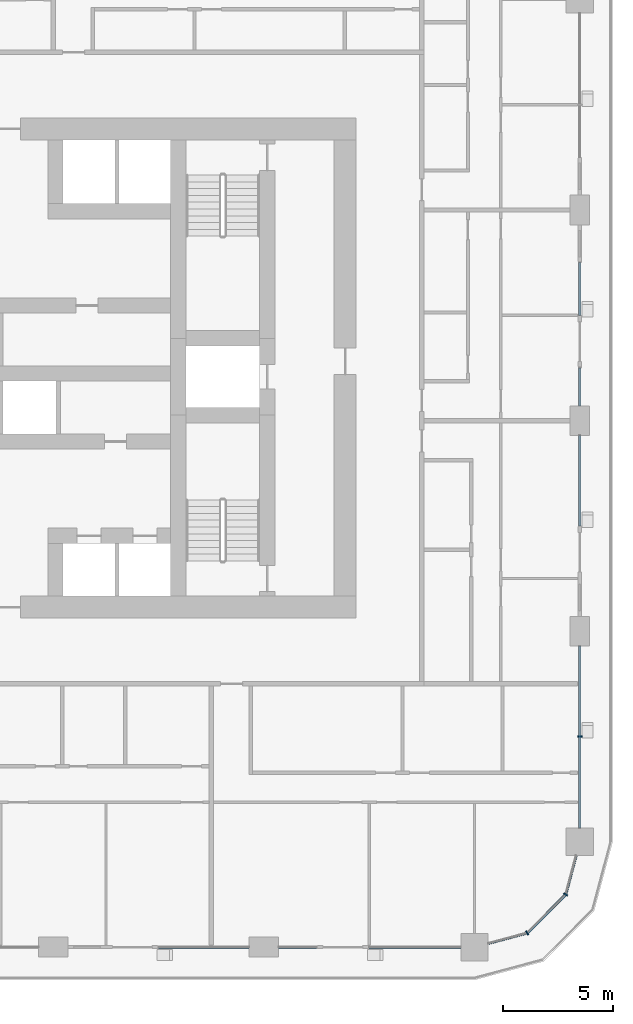
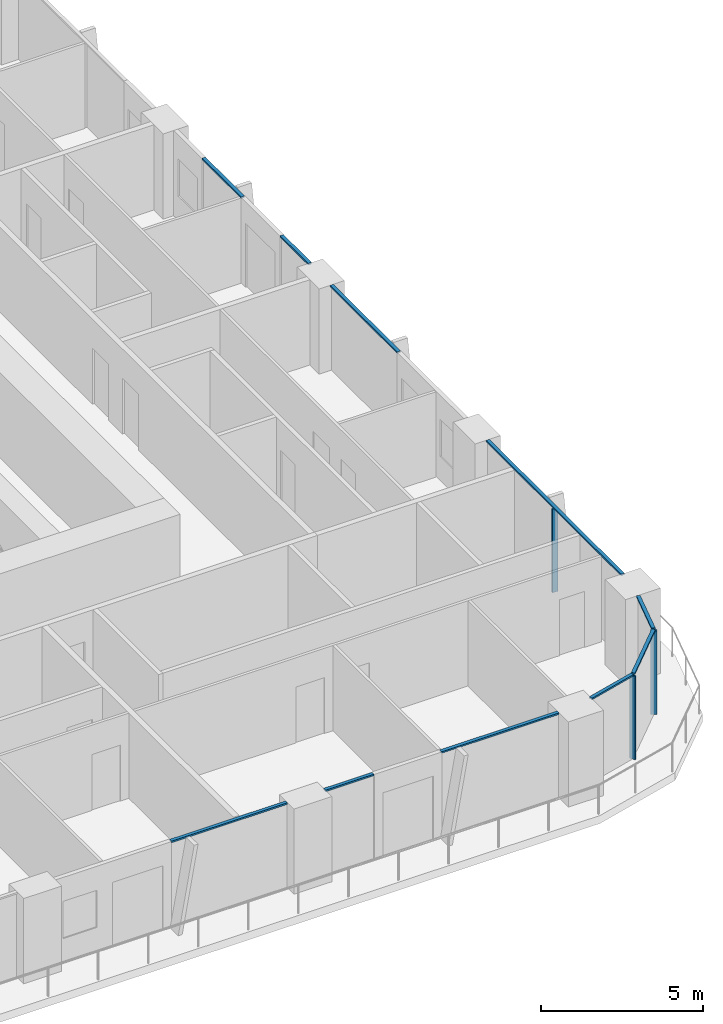
# One storey, part 4 of 21: 13 members, 6 elements without a shape of their own.
"""IFC4 building model written with IfcOpenShell, lengths in metres."""

from ifc_helpers import new_model, si_unit, direction, frame, origin, origin_2d, place, context, subcontext, project, spatial, rectangle, extrude, material, layer, layer_set, material_profile, profile_set, type_object, element, aggregate, save


model = new_model("IFC4")

# Units and contexts
model_context = context("Model", 3, precision=1e-05, world=origin(), true_north=direction((0.0, 1.0)))
body_context = subcontext(model_context, "Body", "Model", "MODEL_VIEW")
ifc_project = project(units=[si_unit("LENGTHUNIT", "METRE"), si_unit("AREAUNIT", "SQUARE_METRE"), si_unit("VOLUMEUNIT", "CUBIC_METRE"), si_unit("PLANEANGLEUNIT", "RADIAN"), si_unit("MASSUNIT", "GRAM", prefix="KILO")], contexts=[model_context])

# Site, building, storey
site_placement = place(None, origin())
site = spatial("IfcSite", under=ifc_project, at=site_placement, CompositionType="ELEMENT")
building_placement = place(site_placement, origin())
building = spatial("IfcBuilding", under=site, at=building_placement, Name="Madar Terraces", CompositionType="ELEMENT")
storey_placement = place(building_placement, frame((0.0, 0.0, 39.89990234375)))
storey = spatial("IfcBuildingStorey", under=building, at=storey_placement, Name="L09", CompositionType="ELEMENT", Elevation=39.89990234375)

# Curtain wall, member
ifc_material_1 = material(Name="Glass, ceramic frit dark grey, with black aluminium frame", Category="aluminium")
ifc_layer = layer(ifc_material_1, 0.199951171875)
ifc_layer_set = layer_set([ifc_layer], Name="Facade curtain wall, fritted glass")
curtain_wall_type = type_object("IfcCurtainWallType", Name="Facade curtain wall, fritted glass", PredefinedType="NOTDEFINED", material=ifc_layer_set)
curtain_wall_1_placement = place(storey_placement, origin())
curtain_wall_1 = element("IfcCurtainWall", 1, at=curtain_wall_1_placement, inside=storey, type_object=curtain_wall_type, Name="Outer skin curtain wall east bay 1", PredefinedType="NOTDEFINED")
ifc_material_2 = material(Name="Aluminium, black anodised", Category="aluminium")
ifc_material_profile_1 = material_profile(ifc_material_2, rectangle(XDim=0.199951171875, YDim=0.06005859375, at=origin_2d()), Name="Facade mullion 60x200")
ifc_profile_set_1 = profile_set([ifc_material_profile_1], Name="Aluminium, black anodised")
member_type_1 = type_object("IfcMemberType", Name="Facade mullion 60x200", PredefinedType="MULLION", material=ifc_profile_set_1)
member_1_placement = place(storey_placement, frame((57.60009765625, 9.60009765625, 0.0), z_axis=(0.0, 0.0, 1.0), x_axis=(-1.0, 0.0, 0.0)))
member_1 = element("IfcMember", 2, at=member_1_placement, type_object=member_type_1, Name="Mullion 1", PredefinedType="MULLION", context=body_context, shape_type="SweptSolid", body=[
    extrude(rectangle(XDim=0.199951171875, YDim=0.06005859375, at=origin_2d()), origin(), (0.0, 0.0, 1.0), 3.14013671875),
])

# Curtain wall, members
curtain_wall_2_placement = place(storey_placement, origin())
curtain_wall_2 = element("IfcCurtainWall", 3, at=curtain_wall_2_placement, inside=storey, type_object=curtain_wall_type, Name="Outer skin curtain wall south-east corner", PredefinedType="NOTDEFINED")
member_2_placement = place(storey_placement, frame((55.199951171875, 0.64306640625, 0.0), z_axis=(0.0, 0.0, 1.0), x_axis=(-0.499999989586, 0.866025409797, 0.0)))
member_2 = element("IfcMember", 4, at=member_2_placement, type_object=member_type_1, Name="Mullion 1", PredefinedType="MULLION", context=body_context, shape_type="SweptSolid", body=[
    extrude(rectangle(XDim=0.199951171875, YDim=0.06005859375, at=origin_2d()), origin(), (0.0, 0.0, 1.0), 3.14013671875),
])
member_3_placement = place(storey_placement, frame((56.95703125, 2.39990234375, 0.0), z_axis=(0.0, 0.0, 1.0), x_axis=(-0.866025409797, 0.499999989586, 0.0)))
member_3 = element("IfcMember", 5, at=member_3_placement, type_object=member_type_1, Name="Mullion 2", PredefinedType="MULLION", context=body_context, shape_type="SweptSolid", body=[
    extrude(rectangle(XDim=0.199951171875, YDim=0.06005859375, at=origin_2d()), origin(), (0.0, 0.0, 1.0), 3.14013671875),
])

# Curtain wall, member
curtain_wall_3_placement = place(storey_placement, origin())
curtain_wall_3 = element("IfcCurtainWall", 6, at=curtain_wall_3_placement, inside=storey, type_object=curtain_wall_type, Name="Outer skin curtain wall south bay 4", PredefinedType="NOTDEFINED")
ifc_material_3 = material(Name="Aluminium, black anodised", Category="aluminium")
ifc_material_profile_2 = material_profile(ifc_material_3, rectangle(XDim=0.1201171875, YDim=0.06005859375, at=origin_2d()), Name="Facade transom 60x120")
ifc_profile_set_2 = profile_set([ifc_material_profile_2], Name="Aluminium, black anodised")
member_type_2 = type_object("IfcMemberType", Name="Facade transom 60x120", PredefinedType="USERDEFINED", material=ifc_profile_set_2)
member_4_placement = place(storey_placement, frame((38.39990234375, 0.0, 3.170166015625), z_axis=(1.0, 0.0, 0.0), x_axis=(0.0, 1.0, 0.0)))
member_4 = element("IfcMember", 7, at=member_4_placement, type_object=member_type_2, Name="Transom 1", ObjectType="TRANSOM", PredefinedType="USERDEFINED", context=body_context, shape_type="SweptSolid", body=[
    extrude(rectangle(XDim=0.1201171875, YDim=0.06005859375, at=origin_2d()), origin(), (0.0, 0.0, 1.0), 4.125),
])
aggregate(curtain_wall_3, [member_4])

# Curtain wall, members
curtain_wall_4_placement = place(storey_placement, origin())
curtain_wall_4 = element("IfcCurtainWall", 8, at=curtain_wall_4_placement, inside=storey, type_object=curtain_wall_type, Name="Outer skin curtain wall south bay 5", PredefinedType="NOTDEFINED")
member_5_placement = place(storey_placement, frame((43.875, 0.0, 3.170166015625), z_axis=(1.0, 0.0, 0.0), x_axis=(0.0, 1.0, 0.0)))
member_5 = element("IfcMember", 9, at=member_5_placement, type_object=member_type_2, Name="Transom 1", ObjectType="TRANSOM", PredefinedType="USERDEFINED", context=body_context, shape_type="SweptSolid", body=[
    extrude(rectangle(XDim=0.1201171875, YDim=0.06005859375, at=origin_2d()), origin(), (0.0, 0.0, 1.0), 1.72509765625),
])
member_6_placement = place(storey_placement, frame((48.0, 0.0, 3.170166015625), z_axis=(1.0, 0.0, 0.0), x_axis=(0.0, 1.0, 0.0)))
member_6 = element("IfcMember", 10, at=member_6_placement, type_object=member_type_2, Name="Transom 2", ObjectType="TRANSOM", PredefinedType="USERDEFINED", context=body_context, shape_type="SweptSolid", body=[
    extrude(rectangle(XDim=0.1201171875, YDim=0.06005859375, at=origin_2d()), origin(), (0.0, 0.0, 1.0), 4.175048828125),
])
aggregate(curtain_wall_4, [member_5, member_6])

# Member
member_7_placement = place(storey_placement, frame((57.60009765625, 5.425048828125, 3.170166015625), z_axis=(0.0, 1.0, 0.0), x_axis=(-1.0, 0.0, 0.0)))
member_7 = element("IfcMember", 11, at=member_7_placement, type_object=member_type_2, Name="Transom 1", ObjectType="TRANSOM", PredefinedType="USERDEFINED", context=body_context, shape_type="SweptSolid", body=[
    extrude(rectangle(XDim=0.1201171875, YDim=0.06005859375, at=origin_2d()), origin(), (0.0, 0.0, 1.0), 8.300048828125),
])

aggregate(curtain_wall_1, [member_1, member_7])

# Curtain wall, member
curtain_wall_5_placement = place(storey_placement, origin())
curtain_wall_5 = element("IfcCurtainWall", 12, at=curtain_wall_5_placement, inside=storey, type_object=curtain_wall_type, Name="Outer skin curtain wall east bay 2", PredefinedType="NOTDEFINED")
member_8_placement = place(storey_placement, frame((57.60009765625, 19.199951171875, 3.170166015625), z_axis=(0.0, 1.0, 0.0), x_axis=(-1.0, 0.0, 0.0)))
member_8 = element("IfcMember", 13, at=member_8_placement, type_object=member_type_2, Name="Transom 1", ObjectType="TRANSOM", PredefinedType="USERDEFINED", context=body_context, shape_type="SweptSolid", body=[
    extrude(rectangle(XDim=0.1201171875, YDim=0.06005859375, at=origin_2d()), origin(), (0.0, 0.0, 1.0), 4.125),
])
aggregate(curtain_wall_5, [member_8])

# Curtain wall, members
curtain_wall_6_placement = place(storey_placement, origin())
curtain_wall_6 = element("IfcCurtainWall", 14, at=curtain_wall_6_placement, inside=storey, type_object=curtain_wall_type, Name="Outer skin curtain wall east bay 3", PredefinedType="NOTDEFINED")
member_9_placement = place(storey_placement, frame((57.60009765625, 24.675048828125, 3.170166015625), z_axis=(0.0, 1.0, 0.0), x_axis=(-1.0, 0.0, 0.0)))
member_9 = element("IfcMember", 15, at=member_9_placement, type_object=member_type_2, Name="Transom 1", ObjectType="TRANSOM", PredefinedType="USERDEFINED", context=body_context, shape_type="SweptSolid", body=[
    extrude(rectangle(XDim=0.1201171875, YDim=0.06005859375, at=origin_2d()), origin(), (0.0, 0.0, 1.0), 1.724853515625),
])
member_10_placement = place(storey_placement, frame((57.60009765625, 28.800048828125, 3.170166015625), z_axis=(0.0, 1.0, 0.0), x_axis=(-1.0, 0.0, 0.0)))
member_10 = element("IfcMember", 16, at=member_10_placement, type_object=member_type_2, Name="Transom 2", ObjectType="TRANSOM", PredefinedType="USERDEFINED", context=body_context, shape_type="SweptSolid", body=[
    extrude(rectangle(XDim=0.1201171875, YDim=0.06005859375, at=origin_2d()), origin(), (0.0, 0.0, 1.0), 2.39990234375),
])
aggregate(curtain_wall_6, [member_9, member_10])

# Member
member_11_placement = place(storey_placement, frame((53.425048828125, 0.16748046875, 3.170166015625), z_axis=(0.965938406667, 0.258772089929, 0.0), x_axis=(-0.258772089929, 0.965938406667, 0.0)))
member_11 = element("IfcMember", 17, at=member_11_placement, type_object=member_type_2, Name="Transom 1", ObjectType="TRANSOM", PredefinedType="USERDEFINED", context=body_context, shape_type="SweptSolid", body=[
    extrude(rectangle(XDim=0.1201171875, YDim=0.06005859375, at=origin_2d()), origin(), (0.0, 0.0, 1.0), 1.8076171875),
])

member_12_placement = place(storey_placement, frame((55.22119140625, 0.664306640625, 3.170166015625), z_axis=(0.707106781187, 0.707106781187, 0.0), x_axis=(-0.707106781187, 0.707106781187, 0.0)))
member_12 = element("IfcMember", 18, at=member_12_placement, type_object=member_type_2, Name="Transom 2", ObjectType="TRANSOM", PredefinedType="USERDEFINED", context=body_context, shape_type="SweptSolid", body=[
    extrude(rectangle(XDim=0.1201171875, YDim=0.06005859375, at=origin_2d()), origin(), (0.0, 0.0, 1.0), 2.4248046875),
])

member_13_placement = place(storey_placement, frame((56.964599609375, 2.428955078125, 3.170166015625), z_axis=(0.258898097903, 0.965904640688, 0.0), x_axis=(-0.965904640688, 0.258898097903, 0.0)))
member_13 = element("IfcMember", 19, at=member_13_placement, type_object=member_type_2, Name="Transom 3", ObjectType="TRANSOM", PredefinedType="USERDEFINED", context=body_context, shape_type="SweptSolid", body=[
    extrude(rectangle(XDim=0.1201171875, YDim=0.06005859375, at=origin_2d()), origin(), (0.0, 0.0, 1.0), 1.8076171875),
])

aggregate(curtain_wall_2, [member_2, member_11, member_3, member_12, member_13])

save(model, "model.ifc")
